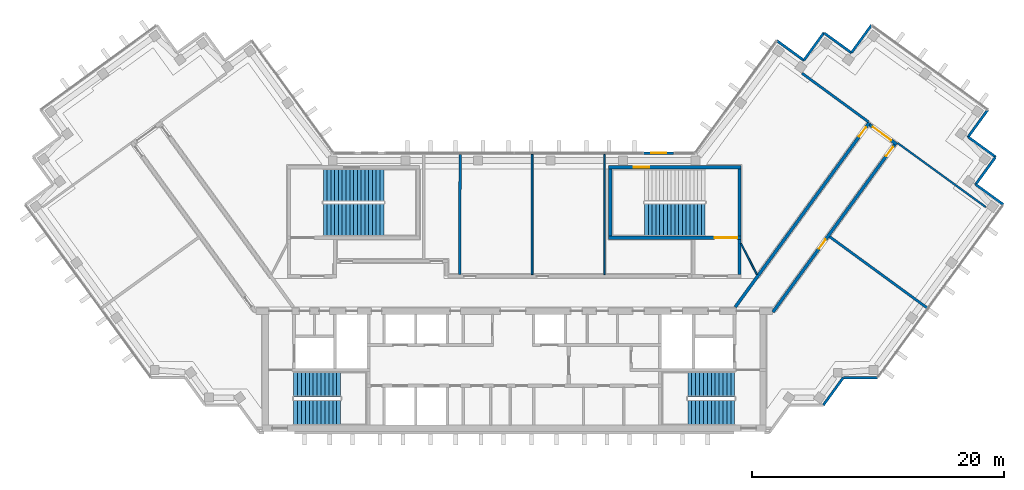
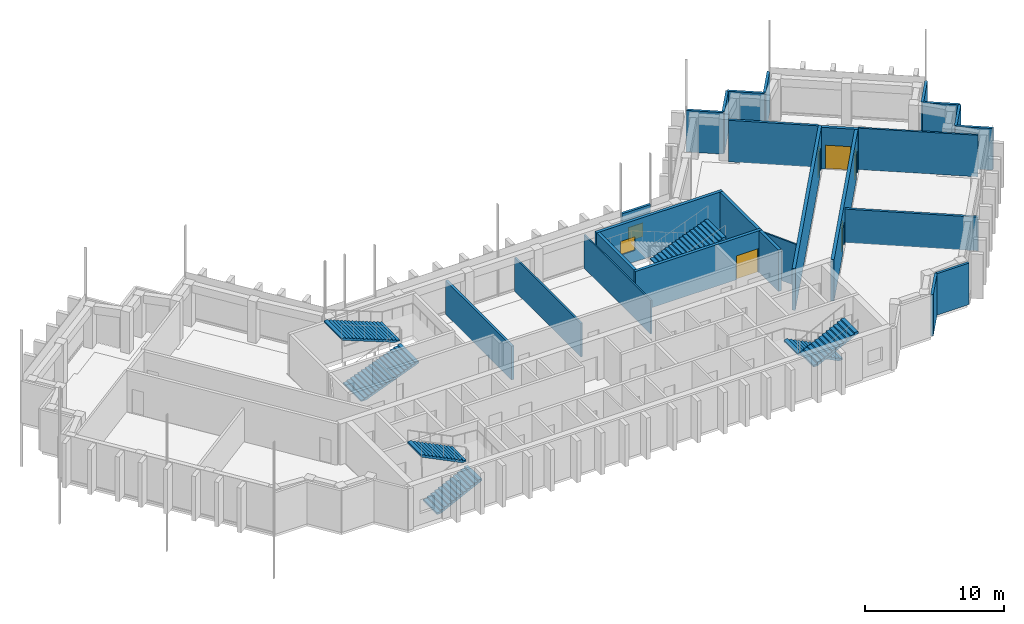
# One storey, part 11 of 14: 26 walls, 7 stair flights, 5 doors, 2 windows, 7 openings, 4 elements without a shape of their own.
"""IFC4 building model written with IfcOpenShell, lengths in metres."""

import ifcopenshell
import ifcopenshell.guid

model = None  # the IFC model being written
_history = None  # IfcOwnerHistory: only IFC2X3 demands one
_inside = {}  # id of a spatial element -> (the spatial element, [elements in it])
_under = {}  # id of a project, library or spatial element -> (it, [spatial elements below it])
_declared = {}  # id of a project -> (the project, [libraries it declares])
_typed = {}  # id of a type object -> (the type object, [elements of that type])
_made_of = {}  # id of a material, layer set ... -> (it, [elements and type objects made of it])


def new_model(schema):
    """Start an empty IFC model of exactly this schema.

    Asked for "IFC4X3", IfcOpenShell would pick the latest addendum, in which some entities
    have other attributes; the version numbers below select the first issue.
    IFC2X3 requires an IfcOwnerHistory on every rooted entity: one is made here for all.
    """
    global model, _history
    if schema == "IFC4X3":
        model = ifcopenshell.file(schema_version=(4, 3, 0, 0))
    else:
        model = ifcopenshell.file(schema=schema)
    _inside.clear()
    _under.clear()
    _declared.clear()
    _typed.clear()
    _made_of.clear()
    _history = None
    if model.schema == "IFC2X3":
        org = make("IfcOrganization", Name="unknown")
        user = make(
            "IfcPersonAndOrganization",
            ThePerson=make("IfcPerson", FamilyName="unknown"),
            TheOrganization=org,
        )
        app = make(
            "IfcApplication",
            ApplicationDeveloper=org,
            Version="unknown",
            ApplicationFullName="unknown",
            ApplicationIdentifier="unknown",
        )
        _history = make(
            "IfcOwnerHistory",
            OwningUser=user,
            OwningApplication=app,
            ChangeAction="ADDED",
            CreationDate=0,
        )
    return model


def make(cls, **values):
    """One entity of the class cls with the attributes given. An attribute that is None is left unset."""
    return model.create_entity(
        cls, **{name: value for name, value in values.items() if value is not None}
    )


def rooted(cls, **values):
    """An entity with a GlobalId (a new one), such as an element, a storey or a relation."""
    return make(cls, GlobalId=ifcopenshell.guid.new(), OwnerHistory=_history, **values)


def si_unit(unit_type, name, prefix=None):
    """IfcSIUnit, for example si_unit("LENGTHUNIT", "METRE", prefix="MILLI")."""
    return make("IfcSIUnit", UnitType=unit_type, Prefix=prefix, Name=name)


def assignment(units):
    """IfcUnitAssignment: the units of a project."""
    return None if units is None else make("IfcUnitAssignment", Units=units)


def point(xyz):
    """IfcCartesianPoint."""
    return None if xyz is None else make("IfcCartesianPoint", Coordinates=xyz)


def direction(xyz):
    """IfcDirection."""
    return None if xyz is None else make("IfcDirection", DirectionRatios=xyz)


def frame(location, z_axis=None, x_axis=None):
    """IfcAxis2Placement3D, a coordinate frame: its origin and axes. An axis left out is left unset."""
    return make(
        "IfcAxis2Placement3D",
        Location=point(location),
        Axis=direction(z_axis),
        RefDirection=direction(x_axis),
    )


def frame_2d(location, x_axis=None):
    """IfcAxis2Placement2D, a coordinate frame in the plane: its origin and x axis."""
    return make(
        "IfcAxis2Placement2D", Location=point(location), RefDirection=direction(x_axis)
    )


def origin():
    """The frame at (0, 0, 0) with its axes left unset."""
    return frame((0.0, 0.0, 0.0))


def place(relative_to, where):
    """IfcLocalPlacement: puts the frame where relative to a parent placement (None: the world)."""
    return make(
        "IfcLocalPlacement", PlacementRelTo=relative_to, RelativePlacement=where
    )


def context(
    kind, dimensions, precision=None, world=None, true_north=None, identifier=None
):
    """IfcGeometricRepresentationContext, for example the 3D "Model" context."""
    return make(
        "IfcGeometricRepresentationContext",
        ContextIdentifier=identifier,
        ContextType=kind,
        CoordinateSpaceDimension=dimensions,
        Precision=precision,
        WorldCoordinateSystem=world,
        TrueNorth=true_north,
    )


def subcontext(parent, identifier, kind, view, scale=None):
    """IfcGeometricRepresentationSubContext, for example "Body" below "Model"."""
    return make(
        "IfcGeometricRepresentationSubContext",
        ContextIdentifier=identifier,
        ContextType=kind,
        ParentContext=parent,
        TargetScale=scale,
        TargetView=view,
    )


def project(units=None, contexts=None):
    """IfcProject with its units and contexts."""
    return rooted(
        "IfcProject",
        Name="project",
        RepresentationContexts=contexts,
        UnitsInContext=assignment(units),
    )


def spatial(cls, under=None, at=None, **own):
    """A site, building, storey or space (cls), placed at a placement, below another one or the project."""
    s = rooted(cls, ObjectPlacement=at, **own)
    if under is not None:
        _under.setdefault(under.id(), (under, []))[1].append(s)
    return s


def polyline(points):
    """IfcPolyline through the points."""
    return make("IfcPolyline", Points=[point(p) for p in points])


def profile(cls, at=None, kind="AREA", **sizes):
    """A parametric profile (cls). Its sizes go by their IFC names, for example OverallWidth=200.0."""
    return make(cls, ProfileType=kind, Position=at, **sizes)


def rectangle(**sizes):
    """IfcRectangleProfileDef."""
    return profile("IfcRectangleProfileDef", **sizes)


def outline(outer, holes=None, kind="AREA"):
    """IfcArbitraryClosedProfileDef: a profile drawn as a closed curve; with holes, ...WithVoids."""
    if holes is None:
        return make("IfcArbitraryClosedProfileDef", ProfileType=kind, OuterCurve=outer)
    return make(
        "IfcArbitraryProfileDefWithVoids",
        ProfileType=kind,
        OuterCurve=outer,
        InnerCurves=holes,
    )


def extrude(swept, where, along, depth):
    """IfcExtrudedAreaSolid: the profile swept, set in the frame where, extruded along a direction by depth."""
    return make(
        "IfcExtrudedAreaSolid",
        SweptArea=swept,
        Position=where,
        ExtrudedDirection=direction(along),
        Depth=depth,
    )


def shape(context_of_items, identifier, shape_type, items):
    """IfcShapeRepresentation: the items that make up one representation, for example the "Body"."""
    return make(
        "IfcShapeRepresentation",
        ContextOfItems=context_of_items,
        RepresentationIdentifier=identifier,
        RepresentationType=shape_type,
        Items=items,
    )


def material(Name=None, Category=None):
    """IfcMaterial."""
    return make("IfcMaterial", Name=Name, Category=Category)


def layer(
    of_material, thickness, ventilated=None, Name=None, Category=None, Priority=None
):
    """IfcMaterialLayer: one layer of a wall or slab, of a material (None: an air gap)."""
    return make(
        "IfcMaterialLayer",
        Material=of_material,
        LayerThickness=thickness,
        IsVentilated=ventilated,
        Name=Name,
        Category=Category,
        Priority=Priority,
    )


def layer_set(layers, Name=None):
    """IfcMaterialLayerSet."""
    return make("IfcMaterialLayerSet", MaterialLayers=layers, LayerSetName=Name)


def made_of(thing, what):
    """Note that an element or type object is made of a material, layer set ...; save() writes the relation."""
    if what is not None:
        _made_of.setdefault(what.id(), (what, []))[1].append(thing)
    return thing


def type_object(cls, material=None, **own):
    """A type object (cls), such as IfcWallType, which elements share."""
    return made_of(rooted(cls, **own), material)


def element(
    cls,
    number,
    at=None,
    inside=None,
    cuts=None,
    type_object=None,
    material=None,
    context=None,
    identifier="Body",
    shape_type=None,
    held_by="IfcProductDefinitionShape",
    body=None,
    shapes=None,
    **own,
):
    """One element of the class cls, such as IfcWall. Its Tag is "e" and its number.

    at: its placement. inside: the storey or other place that contains it. cuts: it is an
    opening in that element (IfcRelVoidsElement). A single representation is given by context,
    identifier, shape_type and body (its items); several are given by shapes. held_by: the class
    of the entity that holds the representations. save() writes the other relations.
    """
    e = rooted(cls, Tag="e%d" % number, ObjectPlacement=at, **own)
    if body is not None:
        shapes = [shape(context, identifier, shape_type, body)]
    if shapes is not None:
        e.Representation = make(held_by, Representations=shapes)
    if inside is not None:
        _inside.setdefault(inside.id(), (inside, []))[1].append(e)
    if cuts is not None:
        rooted(
            "IfcRelVoidsElement", RelatingBuildingElement=cuts, RelatedOpeningElement=e
        )
    if type_object is not None:
        _typed.setdefault(type_object.id(), (type_object, []))[1].append(e)
    return made_of(e, material)


def fill(opening, filler):
    """IfcRelFillsElement: the door or window that sits in an opening."""
    return rooted(
        "IfcRelFillsElement",
        RelatingOpeningElement=opening,
        RelatedBuildingElement=filler,
    )


def aggregate(whole, parts):
    """IfcRelAggregates: a whole, such as a stair, and the parts it consists of."""
    return rooted("IfcRelAggregates", RelatingObject=whole, RelatedObjects=parts)


def save(model, path):
    """Write the relations noted so far, then the file.

    IfcRelAggregates (storeys below a building ...), IfcRelContainedInSpatialStructure (elements
    in a storey), IfcRelDefinesByType, IfcRelAssociatesMaterial and IfcRelDeclares: one each for
    every whole, place, type object, material and project.
    """
    for whole, parts in _under.values():
        aggregate(whole, parts)
    for where, things in _inside.values():
        rooted(
            "IfcRelContainedInSpatialStructure",
            RelatedElements=things,
            RelatingStructure=where,
        )
    for kind, things in _typed.values():
        rooted("IfcRelDefinesByType", RelatedObjects=things, RelatingType=kind)
    for what, things in _made_of.values():
        rooted("IfcRelAssociatesMaterial", RelatedObjects=things, RelatingMaterial=what)
    for by, libraries in _declared.values():
        rooted("IfcRelDeclares", RelatingContext=by, RelatedDefinitions=libraries)
    model.write(path)


model = new_model("IFC4")

# Units and contexts
model_context = context("Model", 3, precision=1e-05, world=origin(), true_north=direction((0.0, 1.0)))
body_context = subcontext(model_context, "Body", "Model", "MODEL_VIEW")
ifc_project = project(units=[si_unit("LENGTHUNIT", "METRE"), si_unit("AREAUNIT", "SQUARE_METRE"), si_unit("VOLUMEUNIT", "CUBIC_METRE"), si_unit("PLANEANGLEUNIT", "RADIAN"), si_unit("MASSUNIT", "GRAM", prefix="KILO")], contexts=[model_context])

# Site, building, storey
site_placement = place(None, origin())
site = spatial("IfcSite", under=ifc_project, at=site_placement, CompositionType="ELEMENT")
building_placement = place(site_placement, origin())
building = spatial("IfcBuilding", under=site, at=building_placement, Name="Quipu Civic Tower", CompositionType="ELEMENT")
storey_placement = place(building_placement, frame((0.0, 0.0, 335.0)))
storey = spatial("IfcBuildingStorey", under=building, at=storey_placement, Name="L78", CompositionType="ELEMENT", Elevation=335.0)

# Walls
ifc_material_1 = material(Name="Double gypsum plasterboard with mineral wool")
ifc_layer_1 = layer(ifc_material_1, 0.14990234375)
ifc_layer_set_1 = layer_set([ifc_layer_1], Name="Double gypsum plasterboard with mineral wool")
wall_type_1 = type_object("IfcWallType", Name="Acoustic partition 150 plasterboard", PredefinedType="PARTITIONING", material=ifc_layer_set_1)
wall_1_placement = place(storey_placement, frame((30.414794921875, 11.901611328125, 0.0), z_axis=(0.0, 0.0, 1.0), x_axis=(0.809020922653, -0.587779845444, 0.0)))
element("IfcWall", 1, at=wall_1_placement, inside=storey, type_object=wall_type_1, Name="Partition P01", PredefinedType="PARTITIONING", context=body_context, shape_type="SweptSolid", body=[
    extrude(rectangle(XDim=8.670166015625, YDim=0.14990234375, at=frame_2d((4.3349609375, 0.0))), origin(), (0.0, 0.0, 1.0), 3.64990234375),
])
wall_2_placement = place(storey_placement, frame((1.419921875, 1.449951171875, 0.0), z_axis=(0.0, 0.0, 1.0), x_axis=(0.0, 1.0, 0.0)))
element("IfcWall", 2, at=wall_2_placement, inside=storey, type_object=wall_type_1, Name="Partition P07", PredefinedType="PARTITIONING", context=body_context, shape_type="SweptSolid", body=[
    extrude(rectangle(XDim=9.550048828125, YDim=0.14990234375, at=frame_2d((4.77490234375, 0.0))), origin(), (0.0, 0.0, 1.0), 2.949951171875),
])
ifc_material_2 = material(Name="Fired clay blockwork", Category="masonry")
ifc_layer_2 = layer(ifc_material_2, 0.199951171875)
ifc_layer_set_2 = layer_set([ifc_layer_2], Name="Fired clay blockwork")
wall_type_2 = type_object("IfcWallType", Name="Blockwork wall 200", PredefinedType="SOLIDWALL", material=ifc_layer_set_2)
wall_3_placement = place(storey_placement, frame((22.843505859375, 17.43017578125, 0.0), z_axis=(0.0, 0.0, 1.0), x_axis=(0.80699548015, -0.590557613631, 0.0)))
element("IfcWall", 3, at=wall_3_placement, inside=storey, type_object=wall_type_2, Name="Partition P02", PredefinedType="SOLIDWALL", context=body_context, shape_type="SweptSolid", body=[
    extrude(rectangle(XDim=6.515380859375, YDim=0.199951171875, at=frame_2d((3.2578125, 0.0))), origin(), (0.0, 0.0, 1.0), 3.64990234375),
])
wall_4_placement = place(storey_placement, frame((25.03173828125, 4.459228515625, 0.0), z_axis=(0.0, 0.0, 1.0), x_axis=(0.807602415854, -0.589727342004, 0.0)))
element("IfcWall", 4, at=wall_4_placement, inside=storey, type_object=wall_type_2, Name="Partition P05", PredefinedType="SOLIDWALL", context=body_context, shape_type="SweptSolid", body=[
    extrude(rectangle(XDim=9.6513671875, YDim=0.199951171875, at=frame_2d((4.82568359375, 0.0))), origin(), (0.0, 0.0, 1.0), 2.949951171875),
])
wall_5_placement = place(storey_placement, frame((-4.29638671875, 11.0, 0.0), z_axis=(0.0, 0.0, 1.0), x_axis=(-0.002377476217, -0.999997173799, 0.0)))
element("IfcWall", 5, at=wall_5_placement, inside=storey, type_object=wall_type_2, Name="Partition P06", PredefinedType="SOLIDWALL", context=body_context, shape_type="SweptSolid", body=[
    extrude(rectangle(XDim=9.550048828125, YDim=0.199951171875, at=frame_2d((4.77490234375, 0.0))), origin(), (0.0, 0.0, 1.0), 2.949951171875),
])
ifc_material_3 = material(Name="Concrete C70/85", Category="concrete")
ifc_layer_3 = layer(ifc_material_3, 0.25)
ifc_layer_set_3 = layer_set([ifc_layer_3], Name="Concrete C70/85")
wall_type_3 = type_object("IfcWallType", Name="Core wall 250", PredefinedType="SHEAR", material=ifc_layer_set_3)
wall_6_placement = place(storey_placement, frame((17.875, 1.449951171875, 0.0), z_axis=(0.0, 0.0, 1.0), x_axis=(0.0, 1.0, 0.0)))
element("IfcWall", 6, at=wall_6_placement, inside=storey, type_object=wall_type_3, Name="Core wall", PredefinedType="SHEAR", context=body_context, shape_type="SweptSolid", body=[
    extrude(rectangle(XDim=2.800048828125, YDim=0.25, at=frame_2d((1.39990234375, 0.0))), origin(), (0.0, 0.0, 1.0), 3.64990234375),
])

# Wall, opening, door
wall_7_placement = place(storey_placement, frame((7.5, 4.375, 0.0), z_axis=(0.0, 0.0, 1.0), x_axis=(1.0, 0.0, 0.0)))
wall_7 = element("IfcWall", 7, at=wall_7_placement, inside=storey, type_object=wall_type_3, Name="Core wall", PredefinedType="SHEAR", context=body_context, shape_type="SweptSolid", body=[
    extrude(rectangle(XDim=10.5, YDim=0.25, at=frame_2d((5.25, 0.0))), origin(), (0.0, 0.0, 1.0), 3.64990234375),
])
opening_1_placement = place(wall_7_placement, frame((8.39990234375, 0.0, 0.0)))
opening_1 = element("IfcOpeningElement", 8, at=opening_1_placement, cuts=wall_7, Name="Opening CD-30", PredefinedType="OPENING", context=body_context, shape_type="SweptSolid", body=[
    extrude(rectangle(XDim=1.800048828125, YDim=2.10009765625, at=frame_2d((0.89990234375, 1.050048828125))), frame((0.0, 0.135009765625, 0.0), z_axis=(0.0, -1.0, 0.0), x_axis=(1.0, 0.0, 0.0)), (0.0, 0.0, 1.0), 0.27001953125),
])
ifc_material_4 = material(Name="Fire rated steel door", Category="steel")
door_type_1 = type_object("IfcDoorType", Name="Fire door FD90 double 1800 x 2100", OperationType="NOTDEFINED", PredefinedType="DOOR", material=ifc_material_4)
door_1_placement = place(opening_1_placement, origin())
door_1 = element("IfcDoor", 9, at=door_1_placement, inside=storey, type_object=door_type_1, Name="Door", OperationType="DOUBLE_DOOR_SINGLE_SWING", OverallHeight=2.10009765625, OverallWidth=1.800048828125, PredefinedType="DOOR", context=body_context, shape_type="SweptSolid", body=[
    extrude(rectangle(XDim=1.800048828125, YDim=2.10009765625, at=frame_2d((0.89990234375, 1.050048828125))), frame((0.0, 0.02490234375, 0.0), z_axis=(0.0, -1.0, 0.0), x_axis=(1.0, 0.0, 0.0)), (0.0, 0.0, 1.0), 0.050048828125),
])
fill(opening_1, door_1)

# Walls
for number, where, z_axis, x_axis, name in (
    (10, (7.625, 4.5, 0.0), (0.0, 0.0, 1.0), (0.0, 1.0, 0.0), "Core wall"),
    (11, (17.875, 4.5, 0.0), (0.0, 0.0, 1.0), (0.0, 1.0, 0.0), "Core wall"),
):
    element("IfcWall", number, at=place(storey_placement, frame(where, z_axis=z_axis, x_axis=x_axis)), inside=storey, type_object=wall_type_3, Name=name, PredefinedType="SHEAR", context=body_context, shape_type="SweptSolid", body=[
        extrude(rectangle(XDim=5.35009765625, YDim=0.25, at=frame_2d((2.675048828125, 0.0))), origin(), (0.0, 0.0, 1.0), 3.64990234375),
    ])

# Wall, opening, window
wall_8_placement = place(storey_placement, frame((7.5, 9.97509765625, 0.0), z_axis=(0.0, 0.0, 1.0), x_axis=(1.0, 0.0, 0.0)))
wall_8 = element("IfcWall", 12, at=wall_8_placement, inside=storey, type_object=wall_type_3, Name="Core wall", PredefinedType="SHEAR", context=body_context, shape_type="SweptSolid", body=[
    extrude(rectangle(XDim=10.5, YDim=0.25, at=frame_2d((5.25, 0.0))), origin(), (0.0, 0.0, 1.0), 3.64990234375),
])
opening_2_placement = place(wall_8_placement, frame((2.0, 0.0, 1.0)))
opening_2 = element("IfcOpeningElement", 13, at=opening_2_placement, cuts=wall_8, Name="Opening SV-4", PredefinedType="OPENING", context=body_context, shape_type="SweptSolid", body=[
    extrude(rectangle(XDim=1.199951171875, YDim=1.199951171875, at=frame_2d((0.60009765625, 0.60009765625))), frame((0.0, 0.135009765625, 0.0), z_axis=(0.0, -1.0, 0.0), x_axis=(1.0, 0.0, 0.0)), (0.0, 0.0, 1.0), 0.27001953125),
])
ifc_material_5 = material(Name="Aluminium louvre", Category="aluminium")
window_type_1 = type_object("IfcWindowType", Name="Stair ventilation louvre 1200 x 1200", PartitioningType="SINGLE_PANEL", PredefinedType="WINDOW", material=ifc_material_5)
window_1_placement = place(opening_2_placement, origin())
window_1 = element("IfcWindow", 14, at=window_1_placement, inside=storey, type_object=window_type_1, Name="Stair ventilation opening", OverallHeight=1.199951171875, OverallWidth=1.199951171875, PartitioningType="SINGLE_PANEL", PredefinedType="WINDOW", context=body_context, shape_type="SweptSolid", body=[
    extrude(rectangle(XDim=1.199951171875, YDim=1.199951171875, at=frame_2d((0.60009765625, 0.60009765625))), frame((0.0, 0.030029296875, 0.0), z_axis=(0.0, -1.0, 0.0), x_axis=(1.0, 0.0, 0.0)), (0.0, 0.0, 1.0), 0.06005859375),
])
fill(opening_2, window_1)

# Wall, opening, door
ifc_material_6 = material(Name="Concrete C50/60", Category="concrete")
ifc_layer_4 = layer(ifc_material_6, 0.25)
ifc_layer_set_4 = layer_set([ifc_layer_4], Name="Concrete C50/60")
wall_type_4 = type_object("IfcWallType", Name="Corridor wall 250 concrete", PredefinedType="SOLIDWALL", material=ifc_layer_set_4)
wall_9_placement = place(storey_placement, frame((17.544921875, -1.124755859375, 0.0), z_axis=(0.0, 0.0, 1.0), x_axis=(0.58779555165, 0.809009511354, 0.0)))
wall_9 = element("IfcWall", 15, at=wall_9_placement, inside=storey, type_object=wall_type_4, Name="Corridor wall C01", PredefinedType="SOLIDWALL", context=body_context, shape_type="SweptSolid", body=[
    extrude(rectangle(XDim=18.10302734375, YDim=0.25, at=frame_2d((9.051513671875, 0.0))), origin(), (0.0, 0.0, 1.0), 3.64990234375),
])
opening_3_placement = place(wall_9_placement, frame((16.72802734375, 0.0, 0.0)))
opening_3 = element("IfcOpeningElement", 16, at=opening_3_placement, cuts=wall_9, Name="Opening D001", PredefinedType="OPENING", context=body_context, shape_type="SweptSolid", body=[
    extrude(rectangle(XDim=0.89990234375, YDim=2.10009765625, at=frame_2d((0.449951171875, 1.050048828125))), frame((0.0, 0.135009765625, 0.0), z_axis=(0.0, -1.0, 0.0), x_axis=(1.0, 0.0, 0.0)), (0.0, 0.0, 1.0), 0.27001953125),
])
ifc_material_7 = material(Name="Fire rated timber door set with metal frame", Category="wood")
door_type_2 = type_object("IfcDoorType", Name="Single door 900 x 2100 FD60", OperationType="NOTDEFINED", PredefinedType="DOOR", material=ifc_material_7)
door_2_placement = place(opening_3_placement, origin())
door_2 = element("IfcDoor", 17, at=door_2_placement, inside=storey, type_object=door_type_2, Name="Door D001", OperationType="SINGLE_SWING_RIGHT", OverallHeight=2.10009765625, OverallWidth=0.89990234375, PredefinedType="DOOR", context=body_context, shape_type="SweptSolid", body=[
    extrude(rectangle(XDim=0.89990234375, YDim=2.10009765625, at=frame_2d((0.449951171875, 1.050048828125))), frame((0.0, 0.02490234375, 0.0), z_axis=(0.0, -1.0, 0.0), x_axis=(1.0, 0.0, 0.0)), (0.0, 0.0, 1.0), 0.050048828125),
])
fill(opening_3, door_2)

wall_10_placement = place(storey_placement, frame((28.21337890625, 13.34619140625, 0.0), z_axis=(0.0, 0.0, 1.0), x_axis=(0.809006914995, -0.587799125119, 0.0)))
wall_10 = element("IfcWall", 18, at=wall_10_placement, inside=storey, type_object=wall_type_4, Name="Corridor wall C02", PredefinedType="SOLIDWALL", context=body_context, shape_type="SweptSolid", body=[
    extrude(rectangle(XDim=2.64990234375, YDim=0.25, at=frame_2d((1.324951171875, 0.0))), origin(), (0.0, 0.0, 1.0), 3.64990234375),
])
opening_4_placement = place(wall_10_placement, frame((0.30029296875, 0.0, 0.0)))
opening_4 = element("IfcOpeningElement", 19, at=opening_4_placement, cuts=wall_10, Name="Opening D004", PredefinedType="OPENING", context=body_context, shape_type="SweptSolid", body=[
    extrude(rectangle(XDim=1.800048828125, YDim=2.10009765625, at=frame_2d((0.89990234375, 1.050048828125))), frame((0.0, 0.135009765625, 0.0), z_axis=(0.0, -1.0, 0.0), x_axis=(1.0, 0.0, 0.0)), (0.0, 0.0, 1.0), 0.27001953125),
])
ifc_material_8 = material(Name="Fire rated timber door set with metal frame", Category="wood")
door_type_3 = type_object("IfcDoorType", Name="Double door 1800 x 2100 FD60", OperationType="DOUBLE_DOOR_SINGLE_SWING", PredefinedType="DOOR", material=ifc_material_8)
door_3_placement = place(opening_4_placement, origin())
door_3 = element("IfcDoor", 20, at=door_3_placement, inside=storey, type_object=door_type_3, Name="Door D004", OperationType="DOUBLE_DOOR_SINGLE_SWING", OverallHeight=2.10009765625, OverallWidth=1.800048828125, PredefinedType="DOOR", context=body_context, shape_type="SweptSolid", body=[
    extrude(rectangle(XDim=1.800048828125, YDim=2.10009765625, at=frame_2d((0.89990234375, 1.050048828125))), frame((0.0, 0.02490234375, 0.0), z_axis=(0.0, -1.0, 0.0), x_axis=(1.0, 0.0, 0.0)), (0.0, 0.0, 1.0), 0.050048828125),
])
fill(opening_4, door_3)

# Wall, openings, doors
wall_11_placement = place(storey_placement, frame((30.1826171875, 11.760986328125, 0.0), z_axis=(0.0, 0.0, 1.0), x_axis=(-0.587781762867, -0.80901952958, 0.0)))
wall_11 = element("IfcWall", 21, at=wall_11_placement, inside=storey, type_object=wall_type_4, Name="Corridor wall C03", PredefinedType="SOLIDWALL", context=body_context, shape_type="SweptSolid", body=[
    extrude(rectangle(XDim=16.42041015625, YDim=0.25, at=frame_2d((8.210205078125, 0.0))), origin(), (0.0, 0.0, 1.0), 3.64990234375),
])
opening_5_placement = place(wall_11_placement, frame((0.224609375, 0.0, 0.0)))
opening_5 = element("IfcOpeningElement", 22, at=opening_5_placement, cuts=wall_11, Name="Opening D003", PredefinedType="OPENING", context=body_context, shape_type="SweptSolid", body=[
    extrude(rectangle(XDim=0.89990234375, YDim=2.10009765625, at=frame_2d((0.449951171875, 1.050048828125))), frame((0.0, 0.135009765625, 0.0), z_axis=(0.0, -1.0, 0.0), x_axis=(1.0, 0.0, 0.0)), (0.0, 0.0, 1.0), 0.27001953125),
])
opening_6_placement = place(wall_11_placement, frame((9.304443359375, 0.0, 0.0)))
opening_6 = element("IfcOpeningElement", 23, at=opening_6_placement, cuts=wall_11, Name="Opening D002", PredefinedType="OPENING", context=body_context, shape_type="SweptSolid", body=[
    extrude(rectangle(XDim=0.89990234375, YDim=2.10009765625, at=frame_2d((0.449951171875, 1.050048828125))), frame((0.0, 0.135009765625, 0.0), z_axis=(0.0, -1.0, 0.0), x_axis=(1.0, 0.0, 0.0)), (0.0, 0.0, 1.0), 0.27001953125),
])
door_4_placement = place(opening_5_placement, origin())
door_4 = element("IfcDoor", 24, at=door_4_placement, inside=storey, type_object=door_type_2, Name="Door D003", OperationType="SINGLE_SWING_LEFT", OverallHeight=2.10009765625, OverallWidth=0.89990234375, PredefinedType="DOOR", context=body_context, shape_type="SweptSolid", body=[
    extrude(rectangle(XDim=0.89990234375, YDim=2.10009765625, at=frame_2d((0.449951171875, 1.050048828125))), frame((0.0, 0.02490234375, 0.0), z_axis=(0.0, -1.0, 0.0), x_axis=(1.0, 0.0, 0.0)), (0.0, 0.0, 1.0), 0.050048828125),
])
fill(opening_5, door_4)
door_5_placement = place(opening_6_placement, origin())
door_5 = element("IfcDoor", 25, at=door_5_placement, inside=storey, type_object=door_type_2, Name="Door D002", OperationType="SINGLE_SWING_LEFT", OverallHeight=2.10009765625, OverallWidth=0.89990234375, PredefinedType="DOOR", context=body_context, shape_type="SweptSolid", body=[
    extrude(rectangle(XDim=0.89990234375, YDim=2.10009765625, at=frame_2d((0.449951171875, 1.050048828125))), frame((0.0, 0.02490234375, 0.0), z_axis=(0.0, -1.0, 0.0), x_axis=(1.0, 0.0, 0.0)), (0.0, 0.0, 1.0), 0.050048828125),
])
fill(opening_6, door_5)

# Walls
ifc_material_9 = material(Name="Gypsum plasterboard on light gauge framing")
ifc_layer_5 = layer(ifc_material_9, 0.1201171875)
ifc_layer_set_5 = layer_set([ifc_layer_5], Name="Gypsum plasterboard on light gauge framing")
wall_type_5 = type_object("IfcWallType", Name="Partition 120 plasterboard", PredefinedType="PARTITIONING", material=ifc_layer_set_5)
wall_12_placement = place(storey_placement, frame((7.177978515625, 1.449951171875, 0.0), z_axis=(0.0, 0.0, 1.0), x_axis=(0.0, 1.0, 0.0)))
element("IfcWall", 26, at=wall_12_placement, inside=storey, type_object=wall_type_5, Name="Partition P10", PredefinedType="PARTITIONING", context=body_context, shape_type="SweptSolid", body=[
    extrude(rectangle(XDim=9.550048828125, YDim=0.1201171875, at=frame_2d((4.77490234375, 0.0))), origin(), (0.0, 0.0, 1.0), 2.949951171875),
])
wall_13_placement = place(storey_placement, frame((18.0, 3.925048828125, 0.0), z_axis=(0.0, 0.0, 1.0), x_axis=(0.453950796792, -0.891026752736, 0.0)))
element("IfcWall", 27, at=wall_13_placement, inside=storey, type_object=wall_type_5, Name="Partition P11", PredefinedType="PARTITIONING", context=body_context, shape_type="SweptSolid", body=[
    extrude(rectangle(XDim=2.77783203125, YDim=0.1201171875, at=frame_2d((1.388916015625, 0.0))), origin(), (0.0, 0.0, 1.0), 3.64990234375),
])
ifc_material_10 = material(Name="Precast concrete C40/50", Category="concrete")
wall_type_6 = type_object("IfcWallType", Name="Precast cladding wall", PredefinedType="SOLIDWALL", material=ifc_material_10)
for number, where, z_axis, x_axis, name in (
    (28, (38.813720703125, 7.010498046875, 0.0), (0.0, 0.0, 1.0), (-0.809033161865, 0.587762999008, 0.0), "Precast cladding wall L78 P01"),
    (29, (36.60205078125, 8.580322265625, 0.0), (0.0, 0.0, 1.0), (0.587822180636, 0.808990163075, 0.0), "Precast cladding wall L78 P02"),
    (30, (38.21630859375, 10.78173828125, 0.0), (0.0, 0.0, 1.0), (-0.809033161865, 0.587762999008, 0.0), "Precast cladding wall L78 P03"),
    (31, (36.0048828125, 12.3515625, 0.0), (0.0, 0.0, 1.0), (0.587762999008, 0.809033161865, 0.0), "Precast cladding wall L78 P24"),
):
    element("IfcWall", number, at=place(storey_placement, frame(where, z_axis=z_axis, x_axis=x_axis)), inside=storey, type_object=wall_type_6, Name=name, PredefinedType="SOLIDWALL", context=body_context, shape_type="SweptSolid", body=[
        extrude(rectangle(XDim=2.699951171875, YDim=0.199951171875, at=frame_2d((1.35009765625, 0.0))), origin(), (0.0, 0.0, 1.0), 3.64990234375),
    ])
for number, where, z_axis, x_axis, name in (
    (32, (28.3544921875, 21.247314453125, 0.0), (0.0, 0.0, 1.0), (-0.587720002413, -0.809064397168, 0.0), "Precast cladding wall L78 P26"),
    (33, (26.78466796875, 19.03564453125, 0.0), (0.0, 0.0, 1.0), (-0.809064397168, 0.587720002413, 0.0), "Precast cladding wall L78 P27"),
):
    element("IfcWall", number, at=place(storey_placement, frame(where, z_axis=z_axis, x_axis=x_axis)), inside=storey, type_object=wall_type_6, Name=name, PredefinedType="SOLIDWALL", context=body_context, shape_type="SweptSolid", body=[
        extrude(rectangle(XDim=2.7001953125, YDim=0.199951171875, at=frame_2d((1.35009765625, 0.0))), origin(), (0.0, 0.0, 1.0), 3.64990234375),
    ])
for number, where, z_axis, x_axis, name in (
    (34, (24.583251953125, 20.64990234375, 0.0), (0.0, 0.0, 1.0), (-0.587762999008, -0.809033161865, 0.0), "Precast cladding wall L78 P28"),
    (35, (23.01318359375, 18.438232421875, 0.0), (0.0, 0.0, 1.0), (-0.808990163075, 0.587822180636, 0.0), "Precast cladding wall L78 P29"),
):
    element("IfcWall", number, at=place(storey_placement, frame(where, z_axis=z_axis, x_axis=x_axis)), inside=storey, type_object=wall_type_6, Name=name, PredefinedType="SOLIDWALL", context=body_context, shape_type="SweptSolid", body=[
        extrude(rectangle(XDim=2.699951171875, YDim=0.199951171875, at=frame_2d((1.35009765625, 0.0))), origin(), (0.0, 0.0, 1.0), 3.64990234375),
    ])

# Wall, opening, window
wall_14_placement = place(storey_placement, frame((12.655029296875, 11.10009765625, 0.0), z_axis=(0.0, 0.0, 1.0), x_axis=(-1.0, 0.0, 0.0)))
wall_14 = element("IfcWall", 36, at=wall_14_placement, inside=storey, type_object=wall_type_6, Name="Vent surround SF-L77-2", PredefinedType="SOLIDWALL", context=body_context, shape_type="SweptSolid", body=[
    extrude(rectangle(XDim=2.3916015625, YDim=0.199951171875, at=frame_2d((1.19580078125, 0.0))), origin(), (0.0, 0.0, 1.0), 3.64990234375),
])
opening_7_placement = place(wall_14_placement, frame((0.595703125, 0.0, 1.0)))
opening_7 = element("IfcOpeningElement", 37, at=opening_7_placement, cuts=wall_14, Name="Opening SF-L77-2", PredefinedType="OPENING", context=body_context, shape_type="SweptSolid", body=[
    extrude(rectangle(XDim=1.199951171875, YDim=1.199951171875, at=frame_2d((0.60009765625, 0.60009765625))), frame((0.0, 0.10986328125, 0.0), z_axis=(0.0, -1.0, 0.0), x_axis=(1.0, 0.0, 0.0)), (0.0, 0.0, 1.0), 0.219970703125),
])
ifc_material_11 = material(Name="Anodised aluminium louvre", Category="aluminium")
window_type_2 = type_object("IfcWindowType", Name="Stair vent louvre window P3", PartitioningType="SINGLE_PANEL", PredefinedType="WINDOW", material=ifc_material_11)
window_2_placement = place(opening_7_placement, origin())
window_2 = element("IfcWindow", 38, at=window_2_placement, inside=storey, type_object=window_type_2, Name="Stair vent louvre SF-L77-2", OverallHeight=1.199951171875, OverallWidth=1.199951171875, PartitioningType="SINGLE_PANEL", PredefinedType="WINDOW", context=body_context, shape_type="SweptSolid", body=[
    extrude(rectangle(XDim=1.199951171875, YDim=1.199951171875, at=frame_2d((0.60009765625, 0.60009765625))), frame((0.0, 0.030029296875, 0.0), z_axis=(0.0, -1.0, 0.0), x_axis=(1.0, 0.0, 0.0)), (0.0, 0.0, 1.0), 0.06005859375),
])
fill(opening_7, window_2)

# Walls
wall_15_placement = place(storey_placement, frame((24.533203125, -8.90869140625, 0.0), z_axis=(0.0, 0.0, 1.0), x_axis=(0.587720002413, 0.809064397168, 0.0)))
element("IfcWall", 39, at=wall_15_placement, inside=storey, type_object=wall_type_6, Name="Precast cladding wall L78 2", PredefinedType="SOLIDWALL", context=body_context, shape_type="SweptSolid", body=[
    extrude(rectangle(XDim=2.7001953125, YDim=0.199951171875, at=frame_2d((1.35009765625, 0.0))), origin(), (0.0, 0.0, 1.0), 3.64990234375),
])
wall_16_placement = place(storey_placement, frame((26.1298828125, -6.71923828125, 0.0), z_axis=(0.0, 0.0, 1.0), x_axis=(1.0, 0.0, 0.0)))
element("IfcWall", 40, at=wall_16_placement, inside=storey, type_object=wall_type_6, Name="Precast cladding wall L78 3", PredefinedType="SOLIDWALL", context=body_context, shape_type="SweptSolid", body=[
    extrude(rectangle(XDim=2.699951171875, YDim=0.199951171875, at=frame_2d((1.35009765625, 0.0))), origin(), (0.0, 0.0, 1.0), 3.64990234375),
])

# Stair, stair flights
ifc_material_12 = material(Name="Concrete C40/50", Category="concrete")
stair_type_1 = type_object("IfcStairType", Name="Half turn stair 2000", PredefinedType="HALF_TURN_STAIR", material=ifc_material_12)
stair_1_placement = place(storey_placement, origin())
stair_1 = element("IfcStair", 41, at=stair_1_placement, inside=storey, type_object=stair_type_1, Name="Exit stair 1", PredefinedType="HALF_TURN_STAIR")
ifc_material_13 = material(Name="Concrete C40/50", Category="concrete")
stair_flight_type_1 = type_object("IfcStairFlightType", Name="Stair flight 2000", PredefinedType="STRAIGHT", material=ifc_material_13)
stair_flight_1_placement = place(storey_placement, frame((-17.5, -9.5, 0.0), z_axis=(0.0, 0.0, 1.0), x_axis=(1.0, 0.0, 0.0)))
stair_flight_1 = element("IfcStairFlight", 42, at=stair_flight_1_placement, type_object=stair_flight_type_1, Name="ST-1 flight 1", NumberOfRisers=13, NumberOfTreads=12, PredefinedType="STRAIGHT", RiserHeight=0.153846154, TreadLength=0.31, context=body_context, shape_type="SweptSolid", body=[
    extrude(outline(polyline([(0.0, 0.0), (0.0, 0.15380859375), (0.31005859375, 0.15380859375), (0.31005859375, 0.3076171875), (0.6201171875, 0.3076171875), (0.6201171875, 0.46142578125), (0.929931640625, 0.46142578125), (0.929931640625, 0.615478515625), (1.239990234375, 0.615478515625), (1.239990234375, 0.769287109375), (1.550048828125, 0.769287109375), (1.550048828125, 0.923095703125), (1.860107421875, 0.923095703125), (1.860107421875, 1.076904296875), (2.169921875, 1.076904296875), (2.169921875, 1.230712890625), (2.47998046875, 1.230712890625), (2.47998046875, 1.384521484375), (2.7900390625, 1.384521484375), (2.7900390625, 1.53857421875), (3.10009765625, 1.53857421875), (3.10009765625, 1.6923828125), (3.409912109375, 1.6923828125), (3.409912109375, 1.84619140625), (3.719970703125, 1.84619140625), (3.719970703125, 2.0), (3.719970703125, 1.6787109375), (0.337158203125, 0.0), (0.0, 0.0)])), frame((0.0, 1.0, 0.0), z_axis=(0.0, -1.0, 0.0), x_axis=(1.0, 0.0, 0.0)), (0.0, 0.0, 1.0), 2.0),
])
stair_flight_2_placement = place(storey_placement, frame((-13.780029296875, -7.25, 2.0), z_axis=(0.0, 0.0, 1.0), x_axis=(-1.0, 0.0, 0.0)))
stair_flight_2 = element("IfcStairFlight", 43, at=stair_flight_2_placement, type_object=stair_flight_type_1, Name="ST-1 flight 2", NumberOfRisers=13, NumberOfTreads=12, PredefinedType="STRAIGHT", RiserHeight=0.153846154, TreadLength=0.31, context=body_context, shape_type="SweptSolid", body=[
    extrude(outline(polyline([(0.0, 0.0), (0.0, 0.15380859375), (0.31005859375, 0.15380859375), (0.31005859375, 0.3076171875), (0.6201171875, 0.3076171875), (0.6201171875, 0.46142578125), (0.929931640625, 0.46142578125), (0.929931640625, 0.615478515625), (1.239990234375, 0.615478515625), (1.239990234375, 0.769287109375), (1.550048828125, 0.769287109375), (1.550048828125, 0.923095703125), (1.860107421875, 0.923095703125), (1.860107421875, 1.076904296875), (2.169921875, 1.076904296875), (2.169921875, 1.230712890625), (2.47998046875, 1.230712890625), (2.47998046875, 1.384521484375), (2.7900390625, 1.384521484375), (2.7900390625, 1.53857421875), (3.10009765625, 1.53857421875), (3.10009765625, 1.6923828125), (3.409912109375, 1.6923828125), (3.409912109375, 1.84619140625), (3.719970703125, 1.84619140625), (3.719970703125, 2.0), (3.719970703125, 1.6787109375), (0.337158203125, 0.0), (0.0, 0.0)])), frame((0.0, 1.0, 0.0), z_axis=(0.0, -1.0, 0.0), x_axis=(1.0, 0.0, 0.0)), (0.0, 0.0, 1.0), 2.0),
])
aggregate(stair_1, [stair_flight_1, stair_flight_2])

stair_2_placement = place(storey_placement, origin())
stair_2 = element("IfcStair", 44, at=stair_2_placement, inside=storey, type_object=stair_type_1, Name="Exit stair 2", PredefinedType="HALF_TURN_STAIR")
stair_flight_3_placement = place(storey_placement, frame((17.5, -7.25, 0.0), z_axis=(0.0, 0.0, 1.0), x_axis=(-1.0, 0.0, 0.0)))
stair_flight_3 = element("IfcStairFlight", 45, at=stair_flight_3_placement, type_object=stair_flight_type_1, Name="ST-2 flight 1", NumberOfRisers=13, NumberOfTreads=12, PredefinedType="STRAIGHT", RiserHeight=0.153846154, TreadLength=0.31, context=body_context, shape_type="SweptSolid", body=[
    extrude(outline(polyline([(0.0, 0.0), (0.0, 0.15380859375), (0.31005859375, 0.15380859375), (0.31005859375, 0.3076171875), (0.6201171875, 0.3076171875), (0.6201171875, 0.46142578125), (0.929931640625, 0.46142578125), (0.929931640625, 0.615478515625), (1.239990234375, 0.615478515625), (1.239990234375, 0.769287109375), (1.550048828125, 0.769287109375), (1.550048828125, 0.923095703125), (1.860107421875, 0.923095703125), (1.860107421875, 1.076904296875), (2.169921875, 1.076904296875), (2.169921875, 1.230712890625), (2.47998046875, 1.230712890625), (2.47998046875, 1.384521484375), (2.7900390625, 1.384521484375), (2.7900390625, 1.53857421875), (3.10009765625, 1.53857421875), (3.10009765625, 1.6923828125), (3.409912109375, 1.6923828125), (3.409912109375, 1.84619140625), (3.719970703125, 1.84619140625), (3.719970703125, 2.0), (3.719970703125, 1.6787109375), (0.337158203125, 0.0), (0.0, 0.0)])), frame((0.0, 1.0, 0.0), z_axis=(0.0, -1.0, 0.0), x_axis=(1.0, 0.0, 0.0)), (0.0, 0.0, 1.0), 2.0),
])
stair_flight_4_placement = place(storey_placement, frame((13.780029296875, -9.5, 2.0), z_axis=(0.0, 0.0, 1.0), x_axis=(1.0, 0.0, 0.0)))
stair_flight_4 = element("IfcStairFlight", 46, at=stair_flight_4_placement, type_object=stair_flight_type_1, Name="ST-2 flight 2", NumberOfRisers=13, NumberOfTreads=12, PredefinedType="STRAIGHT", RiserHeight=0.153846154, TreadLength=0.31, context=body_context, shape_type="SweptSolid", body=[
    extrude(outline(polyline([(0.0, 0.0), (0.0, 0.15380859375), (0.31005859375, 0.15380859375), (0.31005859375, 0.3076171875), (0.6201171875, 0.3076171875), (0.6201171875, 0.46142578125), (0.929931640625, 0.46142578125), (0.929931640625, 0.615478515625), (1.239990234375, 0.615478515625), (1.239990234375, 0.769287109375), (1.550048828125, 0.769287109375), (1.550048828125, 0.923095703125), (1.860107421875, 0.923095703125), (1.860107421875, 1.076904296875), (2.169921875, 1.076904296875), (2.169921875, 1.230712890625), (2.47998046875, 1.230712890625), (2.47998046875, 1.384521484375), (2.7900390625, 1.384521484375), (2.7900390625, 1.53857421875), (3.10009765625, 1.53857421875), (3.10009765625, 1.6923828125), (3.409912109375, 1.6923828125), (3.409912109375, 1.84619140625), (3.719970703125, 1.84619140625), (3.719970703125, 2.0), (3.719970703125, 1.6787109375), (0.337158203125, 0.0), (0.0, 0.0)])), frame((0.0, 1.0, 0.0), z_axis=(0.0, -1.0, 0.0), x_axis=(1.0, 0.0, 0.0)), (0.0, 0.0, 1.0), 2.0),
])
aggregate(stair_2, [stair_flight_3, stair_flight_4])

ifc_material_14 = material(Name="Concrete C40/50", Category="concrete")
stair_type_2 = type_object("IfcStairType", Name="Half turn stair 2600", PredefinedType="HALF_TURN_STAIR", material=ifc_material_14)
stair_3_placement = place(storey_placement, origin())
stair_3 = element("IfcStair", 47, at=stair_3_placement, inside=storey, type_object=stair_type_2, Name="Exit stair 3", PredefinedType="HALF_TURN_STAIR")
ifc_material_15 = material(Name="Concrete C40/50", Category="concrete")
stair_flight_type_2 = type_object("IfcStairFlightType", Name="Stair flight 2600", PredefinedType="STRAIGHT", material=ifc_material_15)
stair_flight_5_placement = place(storey_placement, frame((-15.14990234375, 5.800048828125, 0.0), z_axis=(0.0, 0.0, 1.0), x_axis=(1.0, 0.0, 0.0)))
stair_flight_5 = element("IfcStairFlight", 48, at=stair_flight_5_placement, type_object=stair_flight_type_2, Name="ST-3 flight 1", NumberOfRisers=17, NumberOfTreads=16, PredefinedType="STRAIGHT", RiserHeight=0.117647059, TreadLength=0.3, context=body_context, shape_type="SweptSolid", body=[
    extrude(outline(polyline([(0.0, 0.0), (0.0, 0.11767578125), (0.300048828125, 0.11767578125), (0.300048828125, 0.2353515625), (0.60009765625, 0.2353515625), (0.60009765625, 0.35302734375), (0.89990234375, 0.35302734375), (0.89990234375, 0.470703125), (1.199951171875, 0.470703125), (1.199951171875, 0.588134765625), (1.5, 0.588134765625), (1.5, 0.705810546875), (1.800048828125, 0.705810546875), (1.800048828125, 0.823486328125), (2.10009765625, 0.823486328125), (2.10009765625, 0.941162109375), (2.39990234375, 0.941162109375), (2.39990234375, 1.058837890625), (2.699951171875, 1.058837890625), (2.699951171875, 1.176513671875), (3.0, 1.176513671875), (3.0, 1.294189453125), (3.300048828125, 1.294189453125), (3.300048828125, 1.411865234375), (3.60009765625, 1.411865234375), (3.60009765625, 1.529296875), (3.89990234375, 1.529296875), (3.89990234375, 1.64697265625), (4.199951171875, 1.64697265625), (4.199951171875, 1.7646484375), (4.5, 1.7646484375), (4.5, 1.88232421875), (4.800048828125, 1.88232421875), (4.800048828125, 2.0), (4.800048828125, 1.721435546875), (0.41064453125, 0.0), (0.0, 0.0)])), frame((0.0, 1.300048828125, 0.0), z_axis=(0.0, -1.0, 0.0), x_axis=(1.0, 0.0, 0.0)), (0.0, 0.0, 1.0), 2.60009765625),
])
stair_flight_6_placement = place(storey_placement, frame((-10.35009765625, 8.550048828125, 2.0), z_axis=(0.0, 0.0, 1.0), x_axis=(-1.0, 0.0, 0.0)))
stair_flight_6 = element("IfcStairFlight", 49, at=stair_flight_6_placement, type_object=stair_flight_type_2, Name="ST-3 flight 2", NumberOfRisers=17, NumberOfTreads=16, PredefinedType="STRAIGHT", RiserHeight=0.117647059, TreadLength=0.3, context=body_context, shape_type="SweptSolid", body=[
    extrude(outline(polyline([(0.0, 0.0), (0.0, 0.11767578125), (0.300048828125, 0.11767578125), (0.300048828125, 0.2353515625), (0.60009765625, 0.2353515625), (0.60009765625, 0.35302734375), (0.89990234375, 0.35302734375), (0.89990234375, 0.470703125), (1.199951171875, 0.470703125), (1.199951171875, 0.588134765625), (1.5, 0.588134765625), (1.5, 0.705810546875), (1.800048828125, 0.705810546875), (1.800048828125, 0.823486328125), (2.10009765625, 0.823486328125), (2.10009765625, 0.941162109375), (2.39990234375, 0.941162109375), (2.39990234375, 1.058837890625), (2.699951171875, 1.058837890625), (2.699951171875, 1.176513671875), (3.0, 1.176513671875), (3.0, 1.294189453125), (3.300048828125, 1.294189453125), (3.300048828125, 1.411865234375), (3.60009765625, 1.411865234375), (3.60009765625, 1.529296875), (3.89990234375, 1.529296875), (3.89990234375, 1.64697265625), (4.199951171875, 1.64697265625), (4.199951171875, 1.7646484375), (4.5, 1.7646484375), (4.5, 1.88232421875), (4.800048828125, 1.88232421875), (4.800048828125, 2.0), (4.800048828125, 1.721435546875), (0.41064453125, 0.0), (0.0, 0.0)])), frame((0.0, 1.300048828125, 0.0), z_axis=(0.0, -1.0, 0.0), x_axis=(1.0, 0.0, 0.0)), (0.0, 0.0, 1.0), 2.60009765625),
])
aggregate(stair_3, [stair_flight_5, stair_flight_6])

# Stair, stair flight
stair_4_placement = place(storey_placement, origin())
stair_4 = element("IfcStair", 50, at=stair_4_placement, inside=storey, type_object=stair_type_2, Name="Exit stair 4", PredefinedType="HALF_TURN_STAIR")
stair_flight_7_placement = place(storey_placement, frame((10.35009765625, 5.800048828125, 2.0), z_axis=(0.0, 0.0, 1.0), x_axis=(1.0, 0.0, 0.0)))
stair_flight_7 = element("IfcStairFlight", 51, at=stair_flight_7_placement, type_object=stair_flight_type_2, Name="ST-4 flight 2", NumberOfRisers=17, NumberOfTreads=16, PredefinedType="STRAIGHT", RiserHeight=0.117647059, TreadLength=0.3, context=body_context, shape_type="SweptSolid", body=[
    extrude(outline(polyline([(0.0, 0.0), (0.0, 0.11767578125), (0.300048828125, 0.11767578125), (0.300048828125, 0.2353515625), (0.60009765625, 0.2353515625), (0.60009765625, 0.35302734375), (0.89990234375, 0.35302734375), (0.89990234375, 0.470703125), (1.199951171875, 0.470703125), (1.199951171875, 0.588134765625), (1.5, 0.588134765625), (1.5, 0.705810546875), (1.800048828125, 0.705810546875), (1.800048828125, 0.823486328125), (2.10009765625, 0.823486328125), (2.10009765625, 0.941162109375), (2.39990234375, 0.941162109375), (2.39990234375, 1.058837890625), (2.699951171875, 1.058837890625), (2.699951171875, 1.176513671875), (3.0, 1.176513671875), (3.0, 1.294189453125), (3.300048828125, 1.294189453125), (3.300048828125, 1.411865234375), (3.60009765625, 1.411865234375), (3.60009765625, 1.529296875), (3.89990234375, 1.529296875), (3.89990234375, 1.64697265625), (4.199951171875, 1.64697265625), (4.199951171875, 1.7646484375), (4.5, 1.7646484375), (4.5, 1.88232421875), (4.800048828125, 1.88232421875), (4.800048828125, 2.0), (4.800048828125, 1.721435546875), (0.41064453125, 0.0), (0.0, 0.0)])), frame((0.0, 1.300048828125, 0.0), z_axis=(0.0, -1.0, 0.0), x_axis=(1.0, 0.0, 0.0)), (0.0, 0.0, 1.0), 2.60009765625),
])
aggregate(stair_4, [stair_flight_7])

save(model, "model.ifc")
